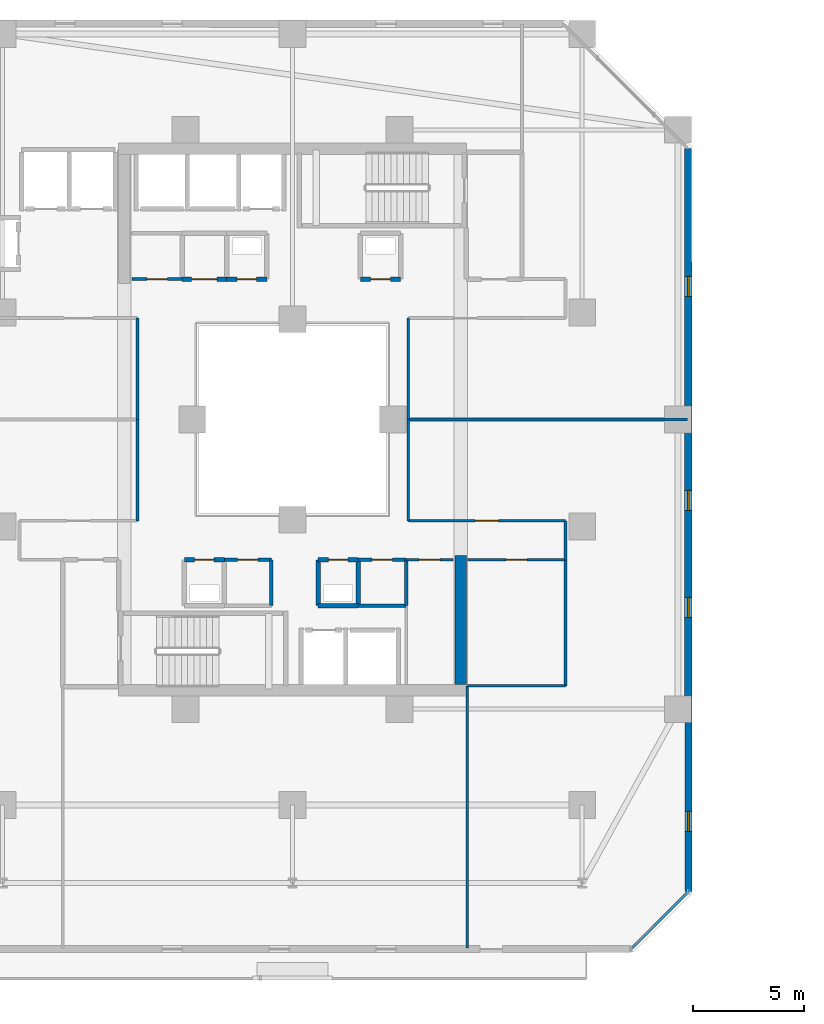
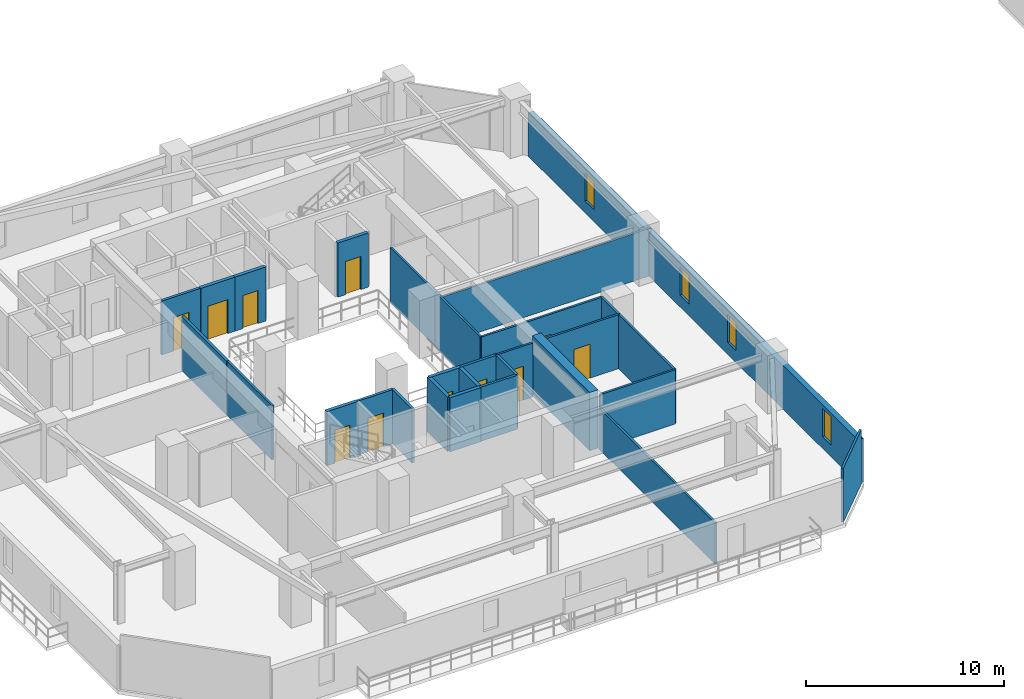
# One storey, part 19 of 31: 29 walls, 11 doors, 4 windows, 15 openings.
"""IFC4 building model written with IfcOpenShell, lengths in metres."""

from ifc_helpers import new_model, si_unit, direction, frame, frame_2d, origin, place, context, subcontext, project, spatial, rectangle, extrude, material, layer, layer_set, type_object, element, fill, save


model = new_model("IFC4")

# Units and contexts
model_context = context("Model", 3, precision=1e-05, world=origin(), true_north=direction((0.0, 1.0)))
body_context = subcontext(model_context, "Body", "Model", "MODEL_VIEW")
ifc_project = project(units=[si_unit("LENGTHUNIT", "METRE"), si_unit("AREAUNIT", "SQUARE_METRE"), si_unit("VOLUMEUNIT", "CUBIC_METRE"), si_unit("PLANEANGLEUNIT", "RADIAN"), si_unit("MASSUNIT", "GRAM", prefix="KILO")], contexts=[model_context])

# Site, building, storey
site_placement = place(None, origin())
site = spatial("IfcSite", under=ifc_project, at=site_placement, CompositionType="ELEMENT")
building_placement = place(site_placement, origin())
building = spatial("IfcBuilding", under=site, at=building_placement, Name="Thornwick Lancets Civic Towers", CompositionType="ELEMENT")
storey_placement = place(building_placement, frame((0.0, 0.0, 126.89990234375)))
storey = spatial("IfcBuildingStorey", under=building, at=storey_placement, Name="L33", CompositionType="ELEMENT", Elevation=126.89990234375)

# Walls
ifc_material_1 = material(Name="Concrete blockwork C40/50", Category="masonry")
ifc_layer_1 = layer(ifc_material_1, 0.199951171875, Name="Concrete blockwork C40/50")
ifc_layer_set_1 = layer_set([ifc_layer_1], Name="Concrete blockwork C40/50")
wall_type_1 = type_object("IfcWallType", Name="WALL_COMP_200", PredefinedType="STANDARD", material=ifc_layer_set_1)
wall_1_placement = place(storey_placement, frame((26.64990234375, 18.64990234375, 0.0), z_axis=(0.0, 0.0, 1.0), x_axis=(1.0, 0.0, 0.0)))
element("IfcWall", 1, at=wall_1_placement, inside=storey, type_object=wall_type_1, Name="L33 Partition L33-A-DUCT1 E1", PredefinedType="STANDARD", context=body_context, shape_type="SweptSolid", body=[
    extrude(rectangle(XDim=1.800048828125, YDim=0.199951171875, at=frame_2d((0.89990234375, 0.0))), origin(), (0.0, 0.0, 1.0), 3.340087890625),
])
wall_2_placement = place(storey_placement, frame((28.449951171875, 18.64990234375, 0.0), z_axis=(0.0, 0.0, 1.0), x_axis=(0.0, 1.0, 0.0)))
element("IfcWall", 2, at=wall_2_placement, inside=storey, type_object=wall_type_1, Name="L33 Partition L33-A-DUCT1 E2", PredefinedType="STANDARD", context=body_context, shape_type="SweptSolid", body=[
    extrude(rectangle(XDim=2.050048828125, YDim=0.199951171875, at=frame_2d((1.02490234375, 0.0))), origin(), (0.0, 0.0, 1.0), 3.340087890625),
])

# Wall, opening, door
wall_3_placement = place(storey_placement, frame((28.449951171875, 20.699951171875, 0.0), z_axis=(0.0, 0.0, 1.0), x_axis=(-1.0, 0.0, 0.0)))
wall_3 = element("IfcWall", 3, at=wall_3_placement, inside=storey, type_object=wall_type_1, Name="L33 Partition L33-A-DUCT1 E3", PredefinedType="STANDARD", context=body_context, shape_type="SweptSolid", body=[
    extrude(rectangle(XDim=1.800048828125, YDim=0.199951171875, at=frame_2d((0.89990234375, 0.0))), origin(), (0.0, 0.0, 1.0), 3.340087890625),
])
opening_1_placement = place(wall_3_placement, frame((0.4599609375, 0.0, 0.0)))
opening_1 = element("IfcOpeningElement", 4, at=opening_1_placement, cuts=wall_3, Name="Opening D-L33-1495", PredefinedType="OPENING", context=body_context, shape_type="SweptSolid", body=[
    extrude(rectangle(XDim=0.8798828125, YDim=2.0400390625, at=frame_2d((0.43994140625, 1.02001953125))), frame((0.0, 0.10986328125, 0.0), z_axis=(0.0, -1.0, 0.0), x_axis=(1.0, 0.0, 0.0)), (0.0, 0.0, 1.0), 0.219970703125),
])
ifc_material_2 = material(Name="Steel riser access doorset", Category="steel")
door_type_1 = type_object("IfcDoorType", Name="DOOR_RISER_850", OperationType="NOTDEFINED", PredefinedType="DOOR", material=ifc_material_2)
door_1_placement = place(opening_1_placement, origin())
door_1 = element("IfcDoor", 5, at=door_1_placement, inside=storey, type_object=door_type_1, Name="L33 South Service Duct 1 Door", OperationType="SINGLE_SWING_RIGHT", OverallHeight=2.0400390625, OverallWidth=0.8798828125, PredefinedType="DOOR", context=body_context, shape_type="SweptSolid", body=[
    extrude(rectangle(XDim=0.8798828125, YDim=2.0400390625, at=frame_2d((0.43994140625, 1.02001953125))), frame((0.0, 0.02490234375, 0.0), z_axis=(0.0, -1.0, 0.0), x_axis=(1.0, 0.0, 0.0)), (0.0, 0.0, 1.0), 0.050048828125),
])
fill(opening_1, door_1)

# Wall
wall_4_placement = place(storey_placement, frame((26.64990234375, 20.699951171875, 0.0), z_axis=(0.0, 0.0, 1.0), x_axis=(0.0, -1.0, 0.0)))
element("IfcWall", 6, at=wall_4_placement, inside=storey, type_object=wall_type_1, Name="L33 Partition L33-A-DUCT1 E4", PredefinedType="STANDARD", context=body_context, shape_type="SweptSolid", body=[
    extrude(rectangle(XDim=2.050048828125, YDim=0.199951171875, at=frame_2d((1.02490234375, 0.0))), origin(), (0.0, 0.0, 1.0), 3.340087890625),
])

# Wall, opening, door
wall_5_placement = place(storey_placement, frame((22.449951171875, 20.699951171875, 0.0), z_axis=(0.0, 0.0, 1.0), x_axis=(-1.0, 0.0, 0.0)))
wall_5 = element("IfcWall", 7, at=wall_5_placement, inside=storey, type_object=wall_type_1, Name="L33 Partition L33-A-RISER1 E3", PredefinedType="STANDARD", context=body_context, shape_type="SweptSolid", body=[
    extrude(rectangle(XDim=1.800048828125, YDim=0.199951171875, at=frame_2d((0.89990234375, 0.0))), origin(), (0.0, 0.0, 1.0), 3.340087890625),
])
opening_2_placement = place(wall_5_placement, frame((0.4599609375, 0.0, 0.0)))
opening_2 = element("IfcOpeningElement", 8, at=opening_2_placement, cuts=wall_5, Name="Opening D-L33-1496", PredefinedType="OPENING", context=body_context, shape_type="SweptSolid", body=[
    extrude(rectangle(XDim=0.8798828125, YDim=2.0400390625, at=frame_2d((0.43994140625, 1.02001953125))), frame((0.0, 0.10986328125, 0.0), z_axis=(0.0, -1.0, 0.0), x_axis=(1.0, 0.0, 0.0)), (0.0, 0.0, 1.0), 0.219970703125),
])
door_2_placement = place(opening_2_placement, origin())
door_2 = element("IfcDoor", 9, at=door_2_placement, inside=storey, type_object=door_type_1, Name="L33 South Electrical Riser 1 Door", OperationType="SINGLE_SWING_LEFT", OverallHeight=2.0400390625, OverallWidth=0.8798828125, PredefinedType="DOOR", context=body_context, shape_type="SweptSolid", body=[
    extrude(rectangle(XDim=0.8798828125, YDim=2.0400390625, at=frame_2d((0.43994140625, 1.02001953125))), frame((0.0, 0.02490234375, 0.0), z_axis=(0.0, -1.0, 0.0), x_axis=(1.0, 0.0, 0.0)), (0.0, 0.0, 1.0), 0.050048828125),
])
fill(opening_2, door_2)

wall_6_placement = place(storey_placement, frame((22.550048828125, 33.300048828125, 0.0), z_axis=(0.0, 0.0, 1.0), x_axis=(1.0, 0.0, 0.0)))
wall_6 = element("IfcWall", 10, at=wall_6_placement, inside=storey, type_object=wall_type_1, Name="L33 Partition L33-A-DUCT2 E1", PredefinedType="STANDARD", context=body_context, shape_type="SweptSolid", body=[
    extrude(rectangle(XDim=1.800048828125, YDim=0.199951171875, at=frame_2d((0.89990234375, 0.0))), origin(), (0.0, 0.0, 1.0), 3.340087890625),
])
opening_3_placement = place(wall_6_placement, frame((0.4599609375, 0.0, 0.0)))
opening_3 = element("IfcOpeningElement", 11, at=opening_3_placement, cuts=wall_6, Name="Opening D-L33-1497", PredefinedType="OPENING", context=body_context, shape_type="SweptSolid", body=[
    extrude(rectangle(XDim=0.8798828125, YDim=2.0400390625, at=frame_2d((0.43994140625, 1.02001953125))), frame((0.0, 0.10986328125, 0.0), z_axis=(0.0, -1.0, 0.0), x_axis=(1.0, 0.0, 0.0)), (0.0, 0.0, 1.0), 0.219970703125),
])
door_3_placement = place(opening_3_placement, origin())
door_3 = element("IfcDoor", 12, at=door_3_placement, inside=storey, type_object=door_type_1, Name="L33 North Service Duct 2 Door", OperationType="SINGLE_SWING_RIGHT", OverallHeight=2.0400390625, OverallWidth=0.8798828125, PredefinedType="DOOR", context=body_context, shape_type="SweptSolid", body=[
    extrude(rectangle(XDim=0.8798828125, YDim=2.0400390625, at=frame_2d((0.43994140625, 1.02001953125))), frame((0.0, 0.02490234375, 0.0), z_axis=(0.0, -1.0, 0.0), x_axis=(1.0, 0.0, 0.0)), (0.0, 0.0, 1.0), 0.050048828125),
])
fill(opening_3, door_3)

wall_7_placement = place(storey_placement, frame((28.550048828125, 33.300048828125, 0.0), z_axis=(0.0, 0.0, 1.0), x_axis=(1.0, 0.0, 0.0)))
wall_7 = element("IfcWall", 13, at=wall_7_placement, inside=storey, type_object=wall_type_1, Name="L33 Partition L33-A-RISER2 E1", PredefinedType="STANDARD", context=body_context, shape_type="SweptSolid", body=[
    extrude(rectangle(XDim=1.800048828125, YDim=0.199951171875, at=frame_2d((0.89990234375, 0.0))), origin(), (0.0, 0.0, 1.0), 3.340087890625),
])
opening_4_placement = place(wall_7_placement, frame((0.4599609375, 0.0, 0.0)))
opening_4 = element("IfcOpeningElement", 14, at=opening_4_placement, cuts=wall_7, Name="Opening D-L33-1498", PredefinedType="OPENING", context=body_context, shape_type="SweptSolid", body=[
    extrude(rectangle(XDim=0.8798828125, YDim=2.0400390625, at=frame_2d((0.43994140625, 1.02001953125))), frame((0.0, 0.10986328125, 0.0), z_axis=(0.0, -1.0, 0.0), x_axis=(1.0, 0.0, 0.0)), (0.0, 0.0, 1.0), 0.219970703125),
])
door_4_placement = place(opening_4_placement, origin())
door_4 = element("IfcDoor", 15, at=door_4_placement, inside=storey, type_object=door_type_1, Name="L33 North Service Riser 2 Door", OperationType="SINGLE_SWING_LEFT", OverallHeight=2.0400390625, OverallWidth=0.8798828125, PredefinedType="DOOR", context=body_context, shape_type="SweptSolid", body=[
    extrude(rectangle(XDim=0.8798828125, YDim=2.0400390625, at=frame_2d((0.43994140625, 1.02001953125))), frame((0.0, 0.02490234375, 0.0), z_axis=(0.0, -1.0, 0.0), x_axis=(1.0, 0.0, 0.0)), (0.0, 0.0, 1.0), 0.050048828125),
])
fill(opening_4, door_4)

wall_8_placement = place(storey_placement, frame((22.550048828125, 33.300048828125, 0.0), z_axis=(0.0, 0.0, 1.0), x_axis=(-1.0, 0.0, 0.0)))
wall_8 = element("IfcWall", 16, at=wall_8_placement, inside=storey, type_object=wall_type_1, Name="L33 Partition L33-A-STR E4", PredefinedType="STANDARD", context=body_context, shape_type="SweptSolid", body=[
    extrude(rectangle(XDim=2.0, YDim=0.199951171875, at=frame_2d((1.0, 0.0))), origin(), (0.0, 0.0, 1.0), 3.340087890625),
])
opening_5_placement = place(wall_8_placement, frame((0.425048828125, 0.0, 0.0)))
opening_5 = element("IfcOpeningElement", 17, at=opening_5_placement, cuts=wall_8, Name="Opening D-L33-1503", PredefinedType="OPENING", context=body_context, shape_type="SweptSolid", body=[
    extrude(rectangle(XDim=1.14990234375, YDim=2.10009765625, at=frame_2d((0.574951171875, 1.050048828125))), frame((0.0, 0.10986328125, 0.0), z_axis=(0.0, -1.0, 0.0), x_axis=(1.0, 0.0, 0.0)), (0.0, 0.0, 1.0), 0.219970703125),
])
ifc_material_3 = material(Name="Glazed fire-resisting steel", Category="steel")
door_type_2 = type_object("IfcDoorType", Name="DOOR_LOBBY_FD60", OperationType="NOTDEFINED", PredefinedType="DOOR", material=ifc_material_3)
door_5_placement = place(opening_5_placement, origin())
door_5 = element("IfcDoor", 18, at=door_5_placement, inside=storey, type_object=door_type_2, Name="L33 Tower A Core Records Store Door", OperationType="SINGLE_SWING_RIGHT", OverallHeight=2.10009765625, OverallWidth=1.14990234375, PredefinedType="DOOR", context=body_context, shape_type="SweptSolid", body=[
    extrude(rectangle(XDim=1.14990234375, YDim=2.10009765625, at=frame_2d((0.574951171875, 1.050048828125))), frame((0.0, 0.02490234375, 0.0), z_axis=(0.0, -1.0, 0.0), x_axis=(1.0, 0.0, 0.0)), (0.0, 0.0, 1.0), 0.050048828125),
])
fill(opening_5, door_5)

# Wall
ifc_material_4 = material(Name="Concrete C50/60", Category="concrete")
ifc_layer_2 = layer(ifc_material_4, 0.5, Name="Concrete C50/60")
ifc_layer_set_2 = layer_set([ifc_layer_2], Name="Concrete C50/60")
wall_type_2 = type_object("IfcWallType", Name="WALL_CORE_500", PredefinedType="SHEAR", material=ifc_layer_set_2)
wall_9_placement = place(storey_placement, frame((33.050048828125, 15.10009765625, 0.0), z_axis=(0.0, 0.0, 1.0), x_axis=(0.0, 1.0, 0.0)))
element("IfcWall", 19, at=wall_9_placement, inside=storey, type_object=wall_type_2, Name="L33 Split Core A1 Shear Wall E", PredefinedType="SHEAR", context=body_context, shape_type="SweptSolid", body=[
    extrude(rectangle(XDim=5.7998046875, YDim=0.5, at=frame_2d((2.89990234375, 0.0))), origin(), (0.0, 0.0, 1.0), 3.60009765625),
])

# Wall, openings, windows
ifc_material_5 = material(Name="Insulated buff terracotta rainscreen on concrete C40/50", Category="masonry")
ifc_layer_3 = layer(ifc_material_5, 0.320068359375, Name="Insulated buff terracotta rainscreen on concrete C40/50")
ifc_layer_set_3 = layer_set([ifc_layer_3], Name="Insulated buff terracotta rainscreen on concrete C40/50")
wall_type_3 = type_object("IfcWallType", Name="WALL_EXT_TERRA_320", PredefinedType="STANDARD", material=ifc_layer_set_3)
wall_10_placement = place(storey_placement, frame((43.2646484375, 5.818603515625, 0.0), z_axis=(0.0, 0.0, 1.0), x_axis=(-0.000300328883, 0.999999954901, 0.0)))
wall_10 = element("IfcWall", 20, at=wall_10_placement, inside=storey, type_object=wall_type_3, Name="L33 Tower A Terracotta Facade Wall E2", PredefinedType="STANDARD", context=body_context, shape_type="SweptSolid", body=[
    extrude(rectangle(XDim=33.329345703125, YDim=0.320068359375, at=frame_2d((16.66455078125, 0.0))), origin(), (0.0, 0.0, 1.0), 2.7001953125),
])
opening_6_placement = place(wall_10_placement, frame((2.699951171875, 0.0, 0.719970703125)))
opening_6 = element("IfcOpeningElement", 21, at=opening_6_placement, cuts=wall_10, Name="Opening WL-01", PredefinedType="OPENING", context=body_context, shape_type="SweptSolid", body=[
    extrude(rectangle(XDim=0.89990234375, YDim=1.75, at=frame_2d((0.449951171875, 0.875))), frame((0.0, 0.169921875, 0.0), z_axis=(0.0, -1.0, 0.0), x_axis=(1.0, 0.0, 0.0)), (0.0, 0.0, 1.0), 0.340087890625),
])
opening_7_placement = place(wall_10_placement, frame((12.300048828125, 0.0, 0.719970703125)))
opening_7 = element("IfcOpeningElement", 22, at=opening_7_placement, cuts=wall_10, Name="Opening WL-01", PredefinedType="OPENING", context=body_context, shape_type="SweptSolid", body=[
    extrude(rectangle(XDim=0.89990234375, YDim=1.75, at=frame_2d((0.449951171875, 0.875))), frame((0.0, 0.169921875, 0.0), z_axis=(0.0, -1.0, 0.0), x_axis=(1.0, 0.0, 0.0)), (0.0, 0.0, 1.0), 0.340087890625),
])
opening_8_placement = place(wall_10_placement, frame((17.10009765625, 0.0, 0.719970703125)))
opening_8 = element("IfcOpeningElement", 23, at=opening_8_placement, cuts=wall_10, Name="Opening WL-01", PredefinedType="OPENING", context=body_context, shape_type="SweptSolid", body=[
    extrude(rectangle(XDim=0.89990234375, YDim=1.75, at=frame_2d((0.449951171875, 0.875))), frame((0.0, 0.169921875, 0.0), z_axis=(0.0, -1.0, 0.0), x_axis=(1.0, 0.0, 0.0)), (0.0, 0.0, 1.0), 0.340087890625),
])
opening_9_placement = place(wall_10_placement, frame((26.699951171875, 0.0, 0.719970703125)))
opening_9 = element("IfcOpeningElement", 24, at=opening_9_placement, cuts=wall_10, Name="Opening WL-01", PredefinedType="OPENING", context=body_context, shape_type="SweptSolid", body=[
    extrude(rectangle(XDim=0.89990234375, YDim=1.75, at=frame_2d((0.449951171875, 0.875))), frame((0.0, 0.169921875, 0.0), z_axis=(0.0, -1.0, 0.0), x_axis=(1.0, 0.0, 0.0)), (0.0, 0.0, 1.0), 0.340087890625),
])
ifc_material_6 = material(Name="Clear low-e double glazing in bronze frame", Category="glass")
window_type = type_object("IfcWindowType", Name="WIN_LANCET_900", PartitioningType="SINGLE_PANEL", PredefinedType="WINDOW", material=ifc_material_6)
window_1_placement = place(opening_6_placement, origin())
window_1 = element("IfcWindow", 25, at=window_1_placement, inside=storey, type_object=window_type, Name="L33 Tower A Staggered Lancet Window E2-1", OverallHeight=1.75, OverallWidth=0.89990234375, PartitioningType="SINGLE_PANEL", PredefinedType="WINDOW", context=body_context, shape_type="SweptSolid", body=[
    extrude(rectangle(XDim=0.89990234375, YDim=1.75, at=frame_2d((0.449951171875, 0.875))), frame((0.0, 0.030029296875, 0.0), z_axis=(0.0, -1.0, 0.0), x_axis=(1.0, 0.0, 0.0)), (0.0, 0.0, 1.0), 0.06005859375),
])
fill(opening_6, window_1)
window_2_placement = place(opening_7_placement, origin())
window_2 = element("IfcWindow", 26, at=window_2_placement, inside=storey, type_object=window_type, Name="L33 Tower A Staggered Lancet Window E2-2", OverallHeight=1.75, OverallWidth=0.89990234375, PartitioningType="SINGLE_PANEL", PredefinedType="WINDOW", context=body_context, shape_type="SweptSolid", body=[
    extrude(rectangle(XDim=0.89990234375, YDim=1.75, at=frame_2d((0.449951171875, 0.875))), frame((0.0, 0.030029296875, 0.0), z_axis=(0.0, -1.0, 0.0), x_axis=(1.0, 0.0, 0.0)), (0.0, 0.0, 1.0), 0.06005859375),
])
fill(opening_7, window_2)
window_3_placement = place(opening_8_placement, origin())
window_3 = element("IfcWindow", 27, at=window_3_placement, inside=storey, type_object=window_type, Name="L33 Tower A Staggered Lancet Window E2-3", OverallHeight=1.75, OverallWidth=0.89990234375, PartitioningType="SINGLE_PANEL", PredefinedType="WINDOW", context=body_context, shape_type="SweptSolid", body=[
    extrude(rectangle(XDim=0.89990234375, YDim=1.75, at=frame_2d((0.449951171875, 0.875))), frame((0.0, 0.030029296875, 0.0), z_axis=(0.0, -1.0, 0.0), x_axis=(1.0, 0.0, 0.0)), (0.0, 0.0, 1.0), 0.06005859375),
])
fill(opening_8, window_3)
window_4_placement = place(opening_9_placement, origin())
window_4 = element("IfcWindow", 28, at=window_4_placement, inside=storey, type_object=window_type, Name="L33 Tower A Staggered Lancet Window E2-4", OverallHeight=1.75, OverallWidth=0.89990234375, PartitioningType="SINGLE_PANEL", PredefinedType="WINDOW", context=body_context, shape_type="SweptSolid", body=[
    extrude(rectangle(XDim=0.89990234375, YDim=1.75, at=frame_2d((0.449951171875, 0.875))), frame((0.0, 0.030029296875, 0.0), z_axis=(0.0, -1.0, 0.0), x_axis=(1.0, 0.0, 0.0)), (0.0, 0.0, 1.0), 0.06005859375),
])
fill(opening_9, window_4)

# Wall, opening, door
ifc_material_7 = material(Name="Acoustic gypsum board partition")
ifc_layer_4 = layer(ifc_material_7, 0.1201171875, Name="Acoustic gypsum board partition")
ifc_layer_set_4 = layer_set([ifc_layer_4], Name="Acoustic gypsum board partition")
wall_type_4 = type_object("IfcWallType", Name="WALL_PART_120", PredefinedType="PARTITIONING", material=ifc_layer_set_4)
wall_11_placement = place(storey_placement, frame((30.60009765625, 20.699951171875, 0.0), z_axis=(0.0, 0.0, 1.0), x_axis=(1.0, 0.0, 0.0)))
wall_11 = element("IfcWall", 29, at=wall_11_placement, inside=storey, type_object=wall_type_4, Name="L33 Partition L33-A-ITR E5", PredefinedType="PARTITIONING", context=body_context, shape_type="SweptSolid", body=[
    extrude(rectangle(XDim=2.099853515625, YDim=0.1201171875, at=frame_2d((1.0498046875, 0.0))), origin(), (0.0, 0.0, 1.0), 3.340087890625),
])
opening_10_placement = place(wall_11_placement, frame((0.574951171875, 0.0, 0.0)))
opening_10 = element("IfcOpeningElement", 30, at=opening_10_placement, cuts=wall_11, Name="Opening D-L33-1501", PredefinedType="OPENING", context=body_context, shape_type="SweptSolid", body=[
    extrude(rectangle(XDim=0.949951171875, YDim=2.10009765625, at=frame_2d((0.47509765625, 1.050048828125))), frame((0.0, 0.070068359375, 0.0), z_axis=(0.0, -1.0, 0.0), x_axis=(1.0, 0.0, 0.0)), (0.0, 0.0, 1.0), 0.14013671875),
])
ifc_material_8 = material(Name="European oak acoustic doorset")
door_type_3 = type_object("IfcDoorType", Name="DOOR_OFFICE_950", OperationType="NOTDEFINED", PredefinedType="DOOR", material=ifc_material_8)
door_6_placement = place(opening_10_placement, origin())
door_6 = element("IfcDoor", 31, at=door_6_placement, inside=storey, type_object=door_type_3, Name="L33 Tower A Comms Patch Room Door", OperationType="SINGLE_SWING_RIGHT", OverallHeight=2.10009765625, OverallWidth=0.949951171875, PredefinedType="DOOR", context=body_context, shape_type="SweptSolid", body=[
    extrude(rectangle(XDim=0.949951171875, YDim=2.10009765625, at=frame_2d((0.47509765625, 1.050048828125))), frame((0.0, 0.02490234375, 0.0), z_axis=(0.0, -1.0, 0.0), x_axis=(1.0, 0.0, 0.0)), (0.0, 0.0, 1.0), 0.050048828125),
])
fill(opening_10, door_6)

# Wall
wall_12_placement = place(storey_placement, frame((37.75, 15.050048828125, 0.0), z_axis=(0.0, 0.0, 1.0), x_axis=(-1.0, 0.0, 0.0)))
element("IfcWall", 32, at=wall_12_placement, inside=storey, type_object=wall_type_4, Name="L33 Partition L33-A-RECLAIM-L1 E1", PredefinedType="PARTITIONING", context=body_context, shape_type="SweptSolid", body=[
    extrude(rectangle(XDim=4.39990234375, YDim=0.1201171875, at=frame_2d((2.199951171875, 0.0))), origin(), (0.0, 0.0, 1.0), 3.340087890625),
])

# Wall, opening, door
wall_13_placement = place(storey_placement, frame((33.35009765625, 20.699951171875, 0.0), z_axis=(0.0, 0.0, 1.0), x_axis=(1.0, 0.0, 0.0)))
wall_13 = element("IfcWall", 33, at=wall_13_placement, inside=storey, type_object=wall_type_4, Name="L33 Partition L33-A-RECLAIM-L1 E3", PredefinedType="PARTITIONING", context=body_context, shape_type="SweptSolid", body=[
    extrude(rectangle(XDim=4.39990234375, YDim=0.1201171875, at=frame_2d((2.199951171875, 0.0))), origin(), (0.0, 0.0, 1.0), 3.340087890625),
])
opening_11_placement = place(wall_13_placement, frame((1.72509765625, 0.0, 0.0)))
opening_11 = element("IfcOpeningElement", 34, at=opening_11_placement, cuts=wall_13, Name="Opening D-L33-1515", PredefinedType="OPENING", context=body_context, shape_type="SweptSolid", body=[
    extrude(rectangle(XDim=0.949951171875, YDim=2.10009765625, at=frame_2d((0.47509765625, 1.050048828125))), frame((0.0, 0.070068359375, 0.0), z_axis=(0.0, -1.0, 0.0), x_axis=(1.0, 0.0, 0.0)), (0.0, 0.0, 1.0), 0.14013671875),
])
door_7_placement = place(opening_11_placement, origin())
door_7 = element("IfcDoor", 35, at=door_7_placement, inside=storey, type_object=door_type_3, Name="L33 Tower A Policy Archive and Library Door", OperationType="SINGLE_SWING_RIGHT", OverallHeight=2.10009765625, OverallWidth=0.949951171875, PredefinedType="DOOR", context=body_context, shape_type="SweptSolid", body=[
    extrude(rectangle(XDim=0.949951171875, YDim=2.10009765625, at=frame_2d((0.47509765625, 1.050048828125))), frame((0.0, 0.02490234375, 0.0), z_axis=(0.0, -1.0, 0.0), x_axis=(1.0, 0.0, 0.0)), (0.0, 0.0, 1.0), 0.050048828125),
])
fill(opening_11, door_7)

# Walls
wall_14_placement = place(storey_placement, frame((37.75, 20.699951171875, 0.0), z_axis=(0.0, 0.0, 1.0), x_axis=(0.0, -1.0, 0.0)))
element("IfcWall", 36, at=wall_14_placement, inside=storey, type_object=wall_type_4, Name="L33 Partition L33-A-RECLAIM-L1 E4", PredefinedType="PARTITIONING", context=body_context, shape_type="SweptSolid", body=[
    extrude(rectangle(XDim=5.64990234375, YDim=0.1201171875, at=frame_2d((2.824951171875, 0.0))), origin(), (0.0, 0.0, 1.0), 3.340087890625),
])
wall_15_placement = place(storey_placement, frame((18.550048828125, 27.0, 0.0), z_axis=(0.0, 0.0, 1.0), x_axis=(0.0, -1.0, 0.0)))
element("IfcWall", 37, at=wall_15_placement, inside=storey, type_object=wall_type_4, Name="L33 Partition L33-A-W1 E10", PredefinedType="PARTITIONING", context=body_context, shape_type="SweptSolid", body=[
    extrude(rectangle(XDim=4.550048828125, YDim=0.1201171875, at=frame_2d((2.27490234375, 0.0))), origin(), (0.0, 0.0, 1.0), 3.340087890625),
])
wall_16_placement = place(storey_placement, frame((33.35009765625, 3.280029296875, 0.0), z_axis=(0.0, 0.0, 1.0), x_axis=(0.0, 1.0, 0.0)))
element("IfcWall", 38, at=wall_16_placement, inside=storey, type_object=wall_type_4, Name="L33 Partition L33-A-E1 E2", PredefinedType="PARTITIONING", context=body_context, shape_type="SweptSolid", body=[
    extrude(rectangle(XDim=11.77001953125, YDim=0.1201171875, at=frame_2d((5.885009765625, 0.0))), origin(), (0.0, 0.0, 1.0), 2.545166015625),
])
wall_17_placement = place(storey_placement, frame((37.75, 20.699951171875, 0.0), z_axis=(0.0, 0.0, 1.0), x_axis=(0.0, 1.0, 0.0)))
element("IfcWall", 39, at=wall_17_placement, inside=storey, type_object=wall_type_4, Name="L33 Partition L33-A-E1 E5", PredefinedType="PARTITIONING", context=body_context, shape_type="SweptSolid", body=[
    extrude(rectangle(XDim=1.75, YDim=0.1201171875, at=frame_2d((0.875, 0.0))), origin(), (0.0, 0.0, 1.0), 3.340087890625),
])

# Wall, opening, door
wall_18_placement = place(storey_placement, frame((37.75, 22.449951171875, 0.0), z_axis=(0.0, 0.0, 1.0), x_axis=(-1.0, 0.0, 0.0)))
wall_18 = element("IfcWall", 40, at=wall_18_placement, inside=storey, type_object=wall_type_4, Name="L33 Partition L33-A-E1 E6", PredefinedType="PARTITIONING", context=body_context, shape_type="SweptSolid", body=[
    extrude(rectangle(XDim=7.050048828125, YDim=0.1201171875, at=frame_2d((3.52490234375, 0.0))), origin(), (0.0, 0.0, 1.0), 3.340087890625),
])
opening_12_placement = place(wall_18_placement, frame((3.0, 0.0, 0.0)))
opening_12 = element("IfcOpeningElement", 41, at=opening_12_placement, cuts=wall_18, Name="Opening D-L33-1518", PredefinedType="OPENING", context=body_context, shape_type="SweptSolid", body=[
    extrude(rectangle(XDim=1.050048828125, YDim=2.10009765625, at=frame_2d((0.52490234375, 1.050048828125))), frame((0.0, 0.070068359375, 0.0), z_axis=(0.0, -1.0, 0.0), x_axis=(1.0, 0.0, 0.0)), (0.0, 0.0, 1.0), 0.14013671875),
])
ifc_material_9 = material(Name="Glazed European oak executive doorset")
door_type_4 = type_object("IfcDoorType", Name="DOOR_OFFICE_1050", OperationType="NOTDEFINED", PredefinedType="DOOR", material=ifc_material_9)
door_8_placement = place(opening_12_placement, origin())
door_8 = element("IfcDoor", 42, at=door_8_placement, inside=storey, type_object=door_type_4, Name="L33 Tower A Secretariat Open Office E1 Door", OperationType="SINGLE_SWING_LEFT", OverallHeight=2.10009765625, OverallWidth=1.050048828125, PredefinedType="DOOR", context=body_context, shape_type="SweptSolid", body=[
    extrude(rectangle(XDim=1.050048828125, YDim=2.10009765625, at=frame_2d((0.52490234375, 1.050048828125))), frame((0.0, 0.02490234375, 0.0), z_axis=(0.0, -1.0, 0.0), x_axis=(1.0, 0.0, 0.0)), (0.0, 0.0, 1.0), 0.050048828125),
])
fill(opening_12, door_8)

# Walls
wall_19_placement = place(storey_placement, frame((30.699951171875, 22.449951171875, 0.0), z_axis=(0.0, 0.0, 1.0), x_axis=(0.0, 1.0, 0.0)))
element("IfcWall", 43, at=wall_19_placement, inside=storey, type_object=wall_type_4, Name="L33 Partition L33-A-E1 E7", PredefinedType="PARTITIONING", context=body_context, shape_type="SweptSolid", body=[
    extrude(rectangle(XDim=4.550048828125, YDim=0.1201171875, at=frame_2d((2.27490234375, 0.0))), origin(), (0.0, 0.0, 1.0), 3.340087890625),
])
wall_20_placement = place(storey_placement, frame((30.699951171875, 27.0, 0.0), z_axis=(0.0, 0.0, 1.0), x_axis=(1.0, 0.0, 0.0)))
element("IfcWall", 44, at=wall_20_placement, inside=storey, type_object=wall_type_4, Name="L33 Partition L33-A-E1 E8", PredefinedType="PARTITIONING", context=body_context, shape_type="SweptSolid", body=[
    extrude(rectangle(XDim=12.52001953125, YDim=0.1201171875, at=frame_2d((6.260009765625, 0.0))), origin(), (0.0, 0.0, 1.0), 2.932373046875),
])
wall_21_placement = place(storey_placement, frame((43.219970703125, 5.774658203125, 0.0), z_axis=(0.0, 0.0, 1.0), x_axis=(-0.707106781187, -0.707106781187, 0.0)))
element("IfcWall", 45, at=wall_21_placement, inside=storey, type_object=wall_type_4, Name="L33 Partition L33-A-E1 E10", PredefinedType="PARTITIONING", context=body_context, shape_type="SweptSolid", body=[
    extrude(rectangle(XDim=3.52783203125, YDim=0.1201171875, at=frame_2d((1.763916015625, 0.0))), origin(), (0.0, 0.0, 1.0), 3.340087890625),
])
wall_22_placement = place(storey_placement, frame((30.699951171875, 27.0, 0.0), z_axis=(0.0, 0.0, 1.0), x_axis=(0.0, 1.0, 0.0)))
element("IfcWall", 46, at=wall_22_placement, inside=storey, type_object=wall_type_4, Name="L33 Partition L33-A-E3 E11", PredefinedType="PARTITIONING", context=body_context, shape_type="SweptSolid", body=[
    extrude(rectangle(XDim=4.550048828125, YDim=0.1201171875, at=frame_2d((2.27490234375, 0.0))), origin(), (0.0, 0.0, 1.0), 3.340087890625),
])
ifc_material_10 = material(Name="Twin-stud acoustic gypsum board")
ifc_layer_5 = layer(ifc_material_10, 0.14990234375, Name="Twin-stud acoustic gypsum board")
ifc_layer_set_5 = layer_set([ifc_layer_5], Name="Twin-stud acoustic gypsum board")
wall_type_5 = type_object("IfcWallType", Name="WALL_PART_150", PredefinedType="PARTITIONING", material=ifc_layer_set_5)
wall_23_placement = place(storey_placement, frame((24.550048828125, 20.699951171875, 0.0), z_axis=(0.0, 0.0, 1.0), x_axis=(0.0, -1.0, 0.0)))
element("IfcWall", 47, at=wall_23_placement, inside=storey, type_object=wall_type_5, Name="L33 Partition L33-A-MWC E1", PredefinedType="PARTITIONING", context=body_context, shape_type="SweptSolid", body=[
    extrude(rectangle(XDim=2.050048828125, YDim=0.14990234375, at=frame_2d((1.02490234375, 0.0))), origin(), (0.0, 0.0, 1.0), 3.340087890625),
])

# Wall, opening, door
wall_24_placement = place(storey_placement, frame((22.449951171875, 20.699951171875, 0.0), z_axis=(0.0, 0.0, 1.0), x_axis=(1.0, 0.0, 0.0)))
wall_24 = element("IfcWall", 48, at=wall_24_placement, inside=storey, type_object=wall_type_5, Name="L33 Partition L33-A-MWC E4", PredefinedType="PARTITIONING", context=body_context, shape_type="SweptSolid", body=[
    extrude(rectangle(XDim=2.10009765625, YDim=0.14990234375, at=frame_2d((1.050048828125, 0.0))), origin(), (0.0, 0.0, 1.0), 3.340087890625),
])
opening_13_placement = place(wall_24_placement, frame((0.590087890625, 0.0, 0.0)))
opening_13 = element("IfcOpeningElement", 49, at=opening_13_placement, cuts=wall_24, Name="Opening D-L33-1499", PredefinedType="OPENING", context=body_context, shape_type="SweptSolid", body=[
    extrude(rectangle(XDim=0.919921875, YDim=2.080078125, at=frame_2d((0.4599609375, 1.0400390625))), frame((0.0, 0.0849609375, 0.0), z_axis=(0.0, -1.0, 0.0), x_axis=(1.0, 0.0, 0.0)), (0.0, 0.0, 1.0), 0.169921875),
])
ifc_material_11 = material(Name="Moisture-resistant oak doorset")
door_type_5 = type_object("IfcDoorType", Name="DOOR_WC_900", OperationType="NOTDEFINED", PredefinedType="DOOR", material=ifc_material_11)
door_9_placement = place(opening_13_placement, origin())
door_9 = element("IfcDoor", 50, at=door_9_placement, inside=storey, type_object=door_type_5, Name="L33 Tower A Male WC Door", OperationType="SINGLE_SWING_RIGHT", OverallHeight=2.080078125, OverallWidth=0.919921875, PredefinedType="DOOR", context=body_context, shape_type="SweptSolid", body=[
    extrude(rectangle(XDim=0.919921875, YDim=2.080078125, at=frame_2d((0.4599609375, 1.0400390625))), frame((0.0, 0.02490234375, 0.0), z_axis=(0.0, -1.0, 0.0), x_axis=(1.0, 0.0, 0.0)), (0.0, 0.0, 1.0), 0.050048828125),
])
fill(opening_13, door_9)

# Walls
wall_25_placement = place(storey_placement, frame((30.60009765625, 20.699951171875, 0.0), z_axis=(0.0, 0.0, 1.0), x_axis=(0.0, -1.0, 0.0)))
element("IfcWall", 51, at=wall_25_placement, inside=storey, type_object=wall_type_5, Name="L33 Partition L33-A-FWC E1", PredefinedType="PARTITIONING", context=body_context, shape_type="SweptSolid", body=[
    extrude(rectangle(XDim=2.050048828125, YDim=0.14990234375, at=frame_2d((1.02490234375, 0.0))), origin(), (0.0, 0.0, 1.0), 3.340087890625),
])
wall_26_placement = place(storey_placement, frame((30.60009765625, 18.64990234375, 0.0), z_axis=(0.0, 0.0, 1.0), x_axis=(-1.0, 0.0, 0.0)))
element("IfcWall", 52, at=wall_26_placement, inside=storey, type_object=wall_type_5, Name="L33 Partition L33-A-FWC E2", PredefinedType="PARTITIONING", context=body_context, shape_type="SweptSolid", body=[
    extrude(rectangle(XDim=2.150146484375, YDim=0.14990234375, at=frame_2d((1.0751953125, 0.0))), origin(), (0.0, 0.0, 1.0), 3.340087890625),
])

# Wall, opening, door
wall_27_placement = place(storey_placement, frame((28.449951171875, 20.699951171875, 0.0), z_axis=(0.0, 0.0, 1.0), x_axis=(1.0, 0.0, 0.0)))
wall_27 = element("IfcWall", 53, at=wall_27_placement, inside=storey, type_object=wall_type_5, Name="L33 Partition L33-A-FWC E4", PredefinedType="PARTITIONING", context=body_context, shape_type="SweptSolid", body=[
    extrude(rectangle(XDim=2.150146484375, YDim=0.14990234375, at=frame_2d((1.0751953125, 0.0))), origin(), (0.0, 0.0, 1.0), 3.340087890625),
])
opening_14_placement = place(wall_27_placement, frame((0.614990234375, 0.0, 0.0)))
opening_14 = element("IfcOpeningElement", 54, at=opening_14_placement, cuts=wall_27, Name="Opening D-L33-1500", PredefinedType="OPENING", context=body_context, shape_type="SweptSolid", body=[
    extrude(rectangle(XDim=0.919921875, YDim=2.080078125, at=frame_2d((0.4599609375, 1.0400390625))), frame((0.0, 0.0849609375, 0.0), z_axis=(0.0, -1.0, 0.0), x_axis=(1.0, 0.0, 0.0)), (0.0, 0.0, 1.0), 0.169921875),
])
door_10_placement = place(opening_14_placement, origin())
door_10 = element("IfcDoor", 55, at=door_10_placement, inside=storey, type_object=door_type_5, Name="L33 Tower A Female WC Door", OperationType="SINGLE_SWING_LEFT", OverallHeight=2.080078125, OverallWidth=0.919921875, PredefinedType="DOOR", context=body_context, shape_type="SweptSolid", body=[
    extrude(rectangle(XDim=0.919921875, YDim=2.080078125, at=frame_2d((0.4599609375, 1.0400390625))), frame((0.0, 0.02490234375, 0.0), z_axis=(0.0, -1.0, 0.0), x_axis=(1.0, 0.0, 0.0)), (0.0, 0.0, 1.0), 0.050048828125),
])
fill(opening_14, door_10)

wall_28_placement = place(storey_placement, frame((18.300048828125, 33.300048828125, 0.0), z_axis=(0.0, 0.0, 1.0), x_axis=(1.0, 0.0, 0.0)))
wall_28 = element("IfcWall", 56, at=wall_28_placement, inside=storey, type_object=wall_type_5, Name="L33 Partition L33-A-AWC E1", PredefinedType="PARTITIONING", context=body_context, shape_type="SweptSolid", body=[
    extrude(rectangle(XDim=2.25, YDim=0.14990234375, at=frame_2d((1.125, 0.0))), origin(), (0.0, 0.0, 1.0), 3.340087890625),
])
opening_15_placement = place(wall_28_placement, frame((0.6650390625, 0.0, 0.0)))
opening_15 = element("IfcOpeningElement", 57, at=opening_15_placement, cuts=wall_28, Name="Opening D-L33-1502", PredefinedType="OPENING", context=body_context, shape_type="SweptSolid", body=[
    extrude(rectangle(XDim=0.919921875, YDim=2.080078125, at=frame_2d((0.4599609375, 1.0400390625))), frame((0.0, 0.0849609375, 0.0), z_axis=(0.0, -1.0, 0.0), x_axis=(1.0, 0.0, 0.0)), (0.0, 0.0, 1.0), 0.169921875),
])
door_11_placement = place(opening_15_placement, origin())
door_11 = element("IfcDoor", 58, at=door_11_placement, inside=storey, type_object=door_type_5, Name="L33 Tower A Accessible WC Door", OperationType="SINGLE_SWING_LEFT", OverallHeight=2.080078125, OverallWidth=0.919921875, PredefinedType="DOOR", context=body_context, shape_type="SweptSolid", body=[
    extrude(rectangle(XDim=0.919921875, YDim=2.080078125, at=frame_2d((0.4599609375, 1.0400390625))), frame((0.0, 0.02490234375, 0.0), z_axis=(0.0, -1.0, 0.0), x_axis=(1.0, 0.0, 0.0)), (0.0, 0.0, 1.0), 0.050048828125),
])
fill(opening_15, door_11)

# Wall
wall_29_placement = place(storey_placement, frame((18.550048828125, 31.550048828125, 0.0), z_axis=(0.0, 0.0, 1.0), x_axis=(0.0, -1.0, 0.0)))
element("IfcWall", 59, at=wall_29_placement, inside=storey, type_object=wall_type_5, Name="L33 Partition L33-A-W2 E2", PredefinedType="PARTITIONING", context=body_context, shape_type="SweptSolid", body=[
    extrude(rectangle(XDim=4.550048828125, YDim=0.14990234375, at=frame_2d((2.27490234375, 0.0))), origin(), (0.0, 0.0, 1.0), 3.340087890625),
])

save(model, "model.ifc")
